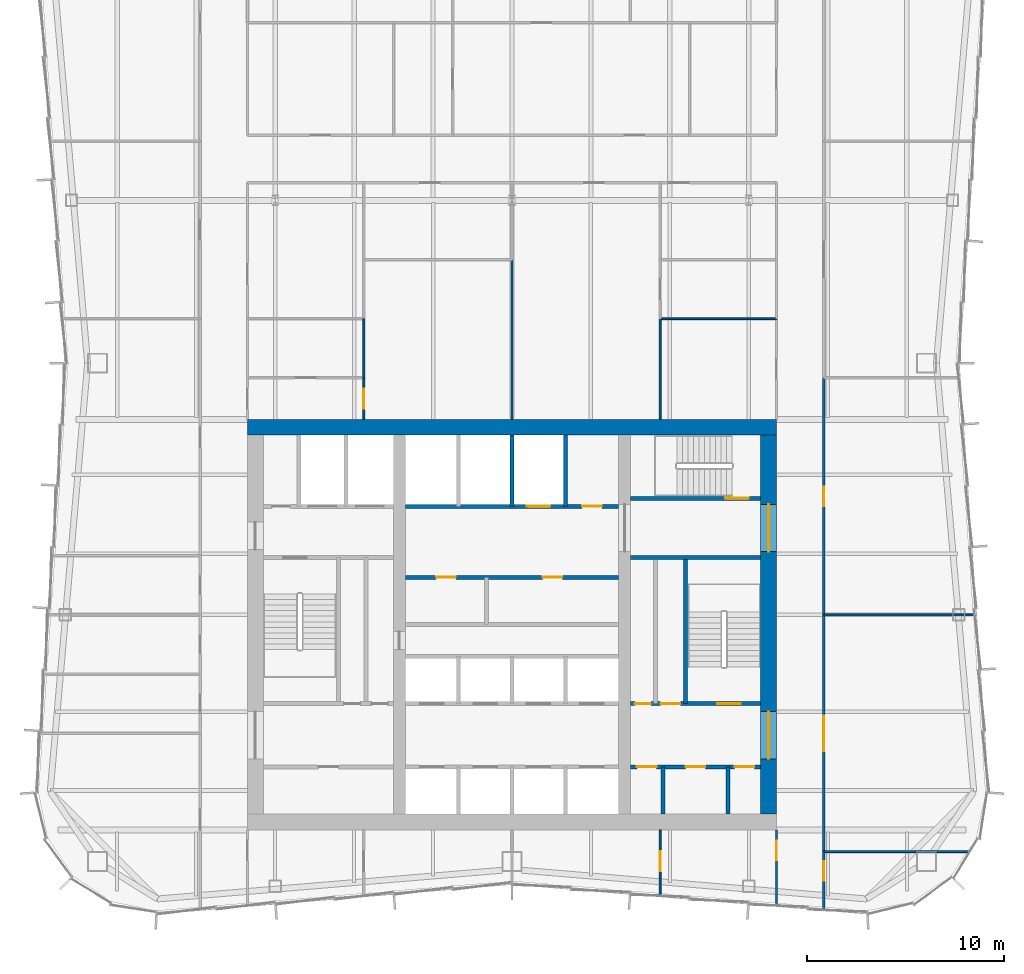
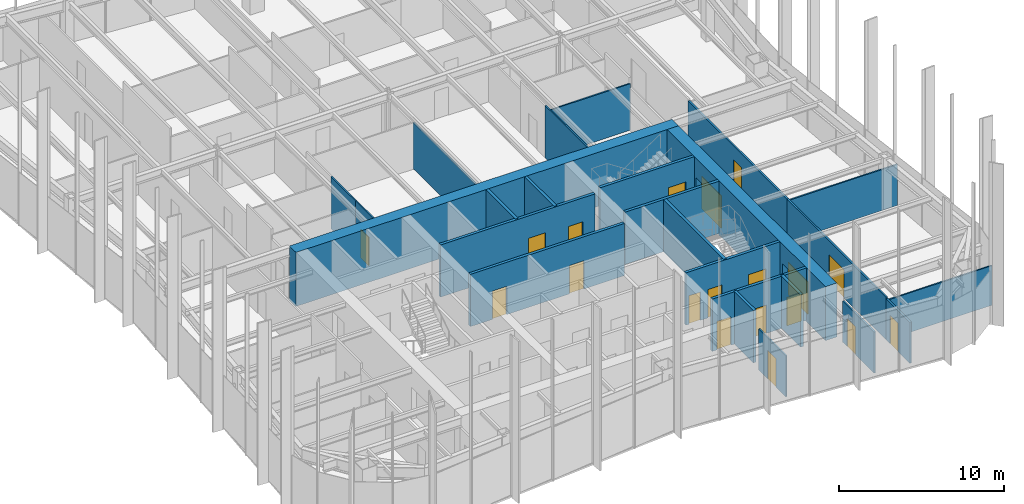
# One storey, part 12 of 15: 25 walls, 19 doors, 19 openings.
"""IFC4 building model written with IfcOpenShell, lengths in metres."""

from ifc_helpers import new_model, si_unit, direction, frame, frame_2d, origin, place, context, subcontext, project, spatial, rectangle, extrude, material, layer, layer_set, type_object, element, fill, save


model = new_model("IFC4")

# Units and contexts
model_context = context("Model", 3, precision=1e-05, world=origin(), true_north=direction((0.0, 1.0)))
body_context = subcontext(model_context, "Body", "Model", "MODEL_VIEW")
ifc_project = project(units=[si_unit("LENGTHUNIT", "METRE"), si_unit("AREAUNIT", "SQUARE_METRE"), si_unit("VOLUMEUNIT", "CUBIC_METRE"), si_unit("PLANEANGLEUNIT", "RADIAN"), si_unit("MASSUNIT", "GRAM", prefix="KILO")], contexts=[model_context])

# Site, building, storey
site_placement = place(None, origin())
site = spatial("IfcSite", under=ifc_project, at=site_placement, CompositionType="ELEMENT")
building_placement = place(site_placement, origin())
building = spatial("IfcBuilding", under=site, at=building_placement, Name="Verdant Reach Tower", CompositionType="ELEMENT")
storey_placement = place(building_placement, frame((0.0, 0.0, 250.0)))
storey = spatial("IfcBuildingStorey", under=building, at=storey_placement, Name="L57", CompositionType="ELEMENT", Elevation=250.0)

# Wall, openings, doors
ifc_material_1 = material(Name="Gypsum board on steel studs", Category="steel")
ifc_layer_1 = layer(ifc_material_1, 0.199951171875)
ifc_layer_set_1 = layer_set([ifc_layer_1], Name="CO-WALL-ROOM")
wall_type_1 = type_object("IfcWallType", Name="CO-WALL-ROOM", PredefinedType="PARTITIONING", material=ifc_layer_set_1)
wall_1_placement = place(storey_placement, frame((6.0, 20.800048828125, 0.0), z_axis=(0.0, 0.0, 1.0), x_axis=(1.0, 0.0, 0.0)))
wall_1 = element("IfcWall", 1, at=wall_1_placement, inside=storey, type_object=wall_type_1, Name="Core partition, L57", PredefinedType="PARTITIONING", context=body_context, shape_type="SweptSolid", body=[
    extrude(rectangle(XDim=6.60009765625, YDim=0.199951171875, at=frame_2d((3.300048828125, 0.0))), origin(), (0.0, 0.0, 1.0), 3.8701171875),
])
opening_1_placement = place(wall_1_placement, frame((0.324951171875, 0.0, 0.0)))
opening_1 = element("IfcOpeningElement", 2, at=opening_1_placement, cuts=wall_1, Name="Opening CD", PredefinedType="OPENING", context=body_context, shape_type="SweptSolid", body=[
    extrude(rectangle(XDim=1.0, YDim=2.10009765625, at=frame_2d((0.5, 1.050048828125))), frame((0.0, 0.10986328125, 0.0), z_axis=(0.0, -1.0, 0.0), x_axis=(1.0, 0.0, 0.0)), (0.0, 0.0, 1.0), 0.219970703125),
])
opening_2_placement = place(wall_1_placement, frame((2.800048828125, 0.0, 0.0)))
opening_2 = element("IfcOpeningElement", 3, at=opening_2_placement, cuts=wall_1, Name="Opening CD", PredefinedType="OPENING", context=body_context, shape_type="SweptSolid", body=[
    extrude(rectangle(XDim=1.0, YDim=2.10009765625, at=frame_2d((0.5, 1.050048828125))), frame((0.0, 0.10986328125, 0.0), z_axis=(0.0, -1.0, 0.0), x_axis=(1.0, 0.0, 0.0)), (0.0, 0.0, 1.0), 0.219970703125),
])
opening_3_placement = place(wall_1_placement, frame((5.27490234375, 0.0, 0.0)))
opening_3 = element("IfcOpeningElement", 4, at=opening_3_placement, cuts=wall_1, Name="Opening CD", PredefinedType="OPENING", context=body_context, shape_type="SweptSolid", body=[
    extrude(rectangle(XDim=1.0, YDim=2.10009765625, at=frame_2d((0.5, 1.050048828125))), frame((0.0, 0.10986328125, 0.0), z_axis=(0.0, -1.0, 0.0), x_axis=(1.0, 0.0, 0.0)), (0.0, 0.0, 1.0), 0.219970703125),
])
ifc_material_2 = material(Name="Timber", Category="wood")
door_type_1 = type_object("IfcDoorType", Name="CO-DOOR-ROOM", OperationType="NOTDEFINED", PredefinedType="DOOR", material=ifc_material_2)
door_1_placement = place(opening_1_placement, origin())
door_1 = element("IfcDoor", 5, at=door_1_placement, inside=storey, type_object=door_type_1, Name="Core room door, L57", OperationType="SINGLE_SWING_LEFT", OverallHeight=2.10009765625, OverallWidth=1.0, PredefinedType="DOOR", context=body_context, shape_type="SweptSolid", body=[
    extrude(rectangle(XDim=1.0, YDim=2.10009765625, at=frame_2d((0.5, 1.050048828125))), frame((0.0, 0.02490234375, 0.0), z_axis=(0.0, -1.0, 0.0), x_axis=(1.0, 0.0, 0.0)), (0.0, 0.0, 1.0), 0.050048828125),
])
fill(opening_1, door_1)
door_2_placement = place(opening_2_placement, origin())
door_2 = element("IfcDoor", 6, at=door_2_placement, inside=storey, type_object=door_type_1, Name="Core room door, L57", OperationType="SINGLE_SWING_LEFT", OverallHeight=2.10009765625, OverallWidth=1.0, PredefinedType="DOOR", context=body_context, shape_type="SweptSolid", body=[
    extrude(rectangle(XDim=1.0, YDim=2.10009765625, at=frame_2d((0.5, 1.050048828125))), frame((0.0, 0.02490234375, 0.0), z_axis=(0.0, -1.0, 0.0), x_axis=(1.0, 0.0, 0.0)), (0.0, 0.0, 1.0), 0.050048828125),
])
fill(opening_2, door_2)
door_3_placement = place(opening_3_placement, origin())
door_3 = element("IfcDoor", 7, at=door_3_placement, inside=storey, type_object=door_type_1, Name="Core room door, L57", OperationType="SINGLE_SWING_LEFT", OverallHeight=2.10009765625, OverallWidth=1.0, PredefinedType="DOOR", context=body_context, shape_type="SweptSolid", body=[
    extrude(rectangle(XDim=1.0, YDim=2.10009765625, at=frame_2d((0.5, 1.050048828125))), frame((0.0, 0.02490234375, 0.0), z_axis=(0.0, -1.0, 0.0), x_axis=(1.0, 0.0, 0.0)), (0.0, 0.0, 1.0), 0.050048828125),
])
fill(opening_3, door_3)

wall_2_placement = place(storey_placement, frame((-5.39990234375, 30.39990234375, 0.0), z_axis=(0.0, 0.0, 1.0), x_axis=(1.0, 0.0, 0.0)))
wall_2 = element("IfcWall", 8, at=wall_2_placement, inside=storey, type_object=wall_type_1, Name="Core partition, L57", PredefinedType="PARTITIONING", context=body_context, shape_type="SweptSolid", body=[
    extrude(rectangle(XDim=10.7998046875, YDim=0.199951171875, at=frame_2d((5.39990234375, 0.0))), origin(), (0.0, 0.0, 1.0), 3.8701171875),
])
opening_4_placement = place(wall_2_placement, frame((1.552001953125, 0.0, 0.0)))
opening_4 = element("IfcOpeningElement", 9, at=opening_4_placement, cuts=wall_2, Name="Opening CD", PredefinedType="OPENING", context=body_context, shape_type="SweptSolid", body=[
    extrude(rectangle(XDim=1.0, YDim=2.10009765625, at=frame_2d((0.5, 1.050048828125))), frame((0.0, 0.10986328125, 0.0), z_axis=(0.0, -1.0, 0.0), x_axis=(1.0, 0.0, 0.0)), (0.0, 0.0, 1.0), 0.219970703125),
])
opening_5_placement = place(wall_2_placement, frame((6.951904296875, 0.0, 0.0)))
opening_5 = element("IfcOpeningElement", 10, at=opening_5_placement, cuts=wall_2, Name="Opening CD", PredefinedType="OPENING", context=body_context, shape_type="SweptSolid", body=[
    extrude(rectangle(XDim=1.0, YDim=2.10009765625, at=frame_2d((0.5, 1.050048828125))), frame((0.0, 0.10986328125, 0.0), z_axis=(0.0, -1.0, 0.0), x_axis=(1.0, 0.0, 0.0)), (0.0, 0.0, 1.0), 0.219970703125),
])
door_4_placement = place(opening_4_placement, origin())
door_4 = element("IfcDoor", 11, at=door_4_placement, inside=storey, type_object=door_type_1, Name="Core room door, L57", OperationType="SINGLE_SWING_LEFT", OverallHeight=2.10009765625, OverallWidth=1.0, PredefinedType="DOOR", context=body_context, shape_type="SweptSolid", body=[
    extrude(rectangle(XDim=1.0, YDim=2.10009765625, at=frame_2d((0.5, 1.050048828125))), frame((0.0, 0.02490234375, 0.0), z_axis=(0.0, -1.0, 0.0), x_axis=(1.0, 0.0, 0.0)), (0.0, 0.0, 1.0), 0.050048828125),
])
fill(opening_4, door_4)
door_5_placement = place(opening_5_placement, origin())
door_5 = element("IfcDoor", 12, at=door_5_placement, inside=storey, type_object=door_type_1, Name="Core room door, L57", OperationType="SINGLE_SWING_RIGHT", OverallHeight=2.10009765625, OverallWidth=1.0, PredefinedType="DOOR", context=body_context, shape_type="SweptSolid", body=[
    extrude(rectangle(XDim=1.0, YDim=2.10009765625, at=frame_2d((0.5, 1.050048828125))), frame((0.0, 0.02490234375, 0.0), z_axis=(0.0, -1.0, 0.0), x_axis=(1.0, 0.0, 0.0)), (0.0, 0.0, 1.0), 0.050048828125),
])
fill(opening_5, door_5)

# Walls
for number, where, z_axis, x_axis, name in (
    (13, (7.64990234375, 18.39990234375, 0.0), (0.0, 0.0, 1.0), (0.0, 1.0, 0.0), "Core partition, L57"),
    (14, (10.949951171875, 18.39990234375, 0.0), (0.0, 0.0, 1.0), (0.0, 1.0, 0.0), "Core partition, L57"),
):
    element("IfcWall", number, at=place(storey_placement, frame(where, z_axis=z_axis, x_axis=x_axis)), inside=storey, type_object=wall_type_1, Name=name, PredefinedType="PARTITIONING", context=body_context, shape_type="SweptSolid", body=[
        extrude(rectangle(XDim=2.400146484375, YDim=0.199951171875, at=frame_2d((1.2001953125, 0.0))), origin(), (0.0, 0.0, 1.0), 3.8701171875),
    ])

# Wall, openings, doors
ifc_material_3 = material(Name="Concrete C40/50", Category="concrete")
ifc_layer_2 = layer(ifc_material_3, 0.199951171875)
ifc_layer_set_2 = layer_set([ifc_layer_2], Name="CO-WALL-SHAFT")
wall_type_2 = type_object("IfcWallType", Name="CO-WALL-SHAFT", PredefinedType="PARTITIONING", material=ifc_layer_set_2)
wall_3_placement = place(storey_placement, frame((-5.39990234375, 34.0, 0.0), z_axis=(0.0, 0.0, 1.0), x_axis=(1.0, 0.0, 0.0)))
wall_3 = element("IfcWall", 15, at=wall_3_placement, inside=storey, type_object=wall_type_2, Name="Lift shaft wall, L57", PredefinedType="PARTITIONING", context=body_context, shape_type="SweptSolid", body=[
    extrude(rectangle(XDim=10.7998046875, YDim=0.199951171875, at=frame_2d((5.39990234375, 0.0))), origin(), (0.0, 0.0, 1.0), 3.8701171875),
])
opening_6_placement = place(wall_3_placement, frame((6.14990234375, 0.0, 0.0)))
opening_6 = element("IfcOpeningElement", 16, at=opening_6_placement, cuts=wall_3, Name="Opening LD-SL1", PredefinedType="OPENING", context=body_context, shape_type="SweptSolid", body=[
    extrude(rectangle(XDim=1.199951171875, YDim=2.199951171875, at=frame_2d((0.60009765625, 1.10009765625))), frame((0.0, 0.10986328125, 0.0), z_axis=(0.0, -1.0, 0.0), x_axis=(1.0, 0.0, 0.0)), (0.0, 0.0, 1.0), 0.219970703125),
])
opening_7_placement = place(wall_3_placement, frame((8.949951171875, 0.0, 0.0)))
opening_7 = element("IfcOpeningElement", 17, at=opening_7_placement, cuts=wall_3, Name="Opening CD", PredefinedType="OPENING", context=body_context, shape_type="SweptSolid", body=[
    extrude(rectangle(XDim=1.0, YDim=2.10009765625, at=frame_2d((0.5, 1.050048828125))), frame((0.0, 0.10986328125, 0.0), z_axis=(0.0, -1.0, 0.0), x_axis=(1.0, 0.0, 0.0)), (0.0, 0.0, 1.0), 0.219970703125),
])
ifc_material_4 = material(Name="Stainless steel", Category="steel")
door_type_2 = type_object("IfcDoorType", Name="CO-DOOR-LANDING", OperationType="SLIDING_TO_LEFT", PredefinedType="DOOR", material=ifc_material_4)
door_6_placement = place(opening_6_placement, origin())
door_6 = element("IfcDoor", 18, at=door_6_placement, inside=storey, type_object=door_type_2, Name="Landing door SL1, L57", OperationType="SLIDING_TO_LEFT", OverallHeight=2.199951171875, OverallWidth=1.199951171875, PredefinedType="DOOR", context=body_context, shape_type="SweptSolid", body=[
    extrude(rectangle(XDim=1.199951171875, YDim=2.199951171875, at=frame_2d((0.60009765625, 1.10009765625))), frame((0.0, 0.02490234375, 0.0), z_axis=(0.0, -1.0, 0.0), x_axis=(1.0, 0.0, 0.0)), (0.0, 0.0, 1.0), 0.050048828125),
])
fill(opening_6, door_6)
door_7_placement = place(opening_7_placement, origin())
door_7 = element("IfcDoor", 19, at=door_7_placement, inside=storey, type_object=door_type_1, Name="Core room door, L57", OperationType="SINGLE_SWING_LEFT", OverallHeight=2.10009765625, OverallWidth=1.0, PredefinedType="DOOR", context=body_context, shape_type="SweptSolid", body=[
    extrude(rectangle(XDim=1.0, YDim=2.10009765625, at=frame_2d((0.5, 1.050048828125))), frame((0.0, 0.02490234375, 0.0), z_axis=(0.0, -1.0, 0.0), x_axis=(1.0, 0.0, 0.0)), (0.0, 0.0, 1.0), 0.050048828125),
])
fill(opening_7, door_7)

# Walls
for number, where, z_axis, x_axis, name in (
    (20, (0.0, 34.0, 0.0), (0.0, 0.0, 1.0), (0.0, 1.0, 0.0), "Lift shaft wall, L57"),
    (21, (2.699951171875, 34.0, 0.0), (0.0, 0.0, 1.0), (0.0, 1.0, 0.0), "Lift shaft wall, L57"),
):
    element("IfcWall", number, at=place(storey_placement, frame(where, z_axis=z_axis, x_axis=x_axis)), inside=storey, type_object=wall_type_2, Name=name, PredefinedType="PARTITIONING", context=body_context, shape_type="SweptSolid", body=[
        extrude(rectangle(XDim=3.60009765625, YDim=0.199951171875, at=frame_2d((1.800048828125, 0.0))), origin(), (0.0, 0.0, 1.0), 3.8701171875),
    ])

# Wall, openings, doors
ifc_layer_3 = layer(ifc_material_3, 0.199951171875)
ifc_layer_set_3 = layer_set([ifc_layer_3], Name="CO-WALL-STAIR")
wall_type_3 = type_object("IfcWallType", Name="CO-WALL-STAIR", PredefinedType="PARTITIONING", material=ifc_layer_set_3)
wall_4_placement = place(storey_placement, frame((6.0, 24.0, 0.0), z_axis=(0.0, 0.0, 1.0), x_axis=(1.0, 0.0, 0.0)))
wall_4 = element("IfcWall", 22, at=wall_4_placement, inside=storey, type_object=wall_type_3, Name="Stair enclosure wall, L57", PredefinedType="PARTITIONING", context=body_context, shape_type="SweptSolid", body=[
    extrude(rectangle(XDim=6.60009765625, YDim=0.199951171875, at=frame_2d((3.300048828125, 0.0))), origin(), (0.0, 0.0, 1.0), 3.8701171875),
])
opening_8_placement = place(wall_4_placement, frame((0.22998046875, 0.0, 0.0)))
opening_8 = element("IfcOpeningElement", 23, at=opening_8_placement, cuts=wall_4, Name="Opening CDN", PredefinedType="OPENING", context=body_context, shape_type="SweptSolid", body=[
    extrude(rectangle(XDim=0.800048828125, YDim=2.10009765625, at=frame_2d((0.39990234375, 1.050048828125))), frame((0.0, 0.10986328125, 0.0), z_axis=(0.0, -1.0, 0.0), x_axis=(1.0, 0.0, 0.0)), (0.0, 0.0, 1.0), 0.219970703125),
])
opening_9_placement = place(wall_4_placement, frame((1.530029296875, 0.0, 0.0)))
opening_9 = element("IfcOpeningElement", 24, at=opening_9_placement, cuts=wall_4, Name="Opening CD", PredefinedType="OPENING", context=body_context, shape_type="SweptSolid", body=[
    extrude(rectangle(XDim=1.0, YDim=2.10009765625, at=frame_2d((0.5, 1.050048828125))), frame((0.0, 0.10986328125, 0.0), z_axis=(0.0, -1.0, 0.0), x_axis=(1.0, 0.0, 0.0)), (0.0, 0.0, 1.0), 0.219970703125),
])
opening_10_placement = place(wall_4_placement, frame((4.39990234375, 0.0, 0.0)))
opening_10 = element("IfcOpeningElement", 25, at=opening_10_placement, cuts=wall_4, Name="Opening SD", PredefinedType="OPENING", context=body_context, shape_type="SweptSolid", body=[
    extrude(rectangle(XDim=1.199951171875, YDim=2.199951171875, at=frame_2d((0.60009765625, 1.10009765625))), frame((0.0, 0.10986328125, 0.0), z_axis=(0.0, -1.0, 0.0), x_axis=(1.0, 0.0, 0.0)), (0.0, 0.0, 1.0), 0.219970703125),
])
door_8_placement = place(opening_9_placement, origin())
door_8 = element("IfcDoor", 26, at=door_8_placement, inside=storey, type_object=door_type_1, Name="Core room door, L57", OperationType="SINGLE_SWING_LEFT", OverallHeight=2.10009765625, OverallWidth=1.0, PredefinedType="DOOR", context=body_context, shape_type="SweptSolid", body=[
    extrude(rectangle(XDim=1.0, YDim=2.10009765625, at=frame_2d((0.5, 1.050048828125))), frame((0.0, 0.02490234375, 0.0), z_axis=(0.0, -1.0, 0.0), x_axis=(1.0, 0.0, 0.0)), (0.0, 0.0, 1.0), 0.050048828125),
])
fill(opening_9, door_8)
door_type_3 = type_object("IfcDoorType", Name="CO-DOOR-ROOM-NARROW", OperationType="NOTDEFINED", PredefinedType="DOOR", material=ifc_material_2)
door_9_placement = place(opening_8_placement, origin())
door_9 = element("IfcDoor", 27, at=door_9_placement, inside=storey, type_object=door_type_3, Name="Core room door, L57", OperationType="SINGLE_SWING_RIGHT", OverallHeight=2.10009765625, OverallWidth=0.800048828125, PredefinedType="DOOR", context=body_context, shape_type="SweptSolid", body=[
    extrude(rectangle(XDim=0.800048828125, YDim=2.10009765625, at=frame_2d((0.39990234375, 1.050048828125))), frame((0.0, 0.02490234375, 0.0), z_axis=(0.0, -1.0, 0.0), x_axis=(1.0, 0.0, 0.0)), (0.0, 0.0, 1.0), 0.050048828125),
])
fill(opening_8, door_9)
ifc_material_5 = material(Name="Steel", Category="steel")
door_type_4 = type_object("IfcDoorType", Name="CO-DOOR-STAIR", OperationType="NOTDEFINED", PredefinedType="DOOR", material=ifc_material_5)
door_10_placement = place(opening_10_placement, origin())
door_10 = element("IfcDoor", 28, at=door_10_placement, inside=storey, type_object=door_type_4, Name="Stair door, L57", OperationType="SINGLE_SWING_LEFT", OverallHeight=2.199951171875, OverallWidth=1.199951171875, PredefinedType="DOOR", context=body_context, shape_type="SweptSolid", body=[
    extrude(rectangle(XDim=1.199951171875, YDim=2.199951171875, at=frame_2d((0.60009765625, 1.10009765625))), frame((0.0, 0.02490234375, 0.0), z_axis=(0.0, -1.0, 0.0), x_axis=(1.0, 0.0, 0.0)), (0.0, 0.0, 1.0), 0.050048828125),
])
fill(opening_10, door_10)

# Wall
wall_5_placement = place(storey_placement, frame((6.0, 31.39990234375, 0.0), z_axis=(0.0, 0.0, 1.0), x_axis=(1.0, 0.0, 0.0)))
element("IfcWall", 29, at=wall_5_placement, inside=storey, type_object=wall_type_3, Name="Stair enclosure wall, L57", PredefinedType="PARTITIONING", context=body_context, shape_type="SweptSolid", body=[
    extrude(rectangle(XDim=6.60009765625, YDim=0.199951171875, at=frame_2d((3.300048828125, 0.0))), origin(), (0.0, 0.0, 1.0), 3.8701171875),
])

# Wall, opening, door
wall_6_placement = place(storey_placement, frame((6.0, 34.39990234375, 0.0), z_axis=(0.0, 0.0, 1.0), x_axis=(1.0, 0.0, 0.0)))
wall_6 = element("IfcWall", 30, at=wall_6_placement, inside=storey, type_object=wall_type_3, Name="Stair enclosure wall, L57", PredefinedType="PARTITIONING", context=body_context, shape_type="SweptSolid", body=[
    extrude(rectangle(XDim=6.60009765625, YDim=0.199951171875, at=frame_2d((3.300048828125, 0.0))), origin(), (0.0, 0.0, 1.0), 3.8701171875),
])
opening_11_placement = place(wall_6_placement, frame((4.800048828125, 0.0, 0.0)))
opening_11 = element("IfcOpeningElement", 31, at=opening_11_placement, cuts=wall_6, Name="Opening SD", PredefinedType="OPENING", context=body_context, shape_type="SweptSolid", body=[
    extrude(rectangle(XDim=1.199951171875, YDim=2.199951171875, at=frame_2d((0.60009765625, 1.10009765625))), frame((0.0, 0.10986328125, 0.0), z_axis=(0.0, -1.0, 0.0), x_axis=(1.0, 0.0, 0.0)), (0.0, 0.0, 1.0), 0.219970703125),
])
door_11_placement = place(opening_11_placement, origin())
door_11 = element("IfcDoor", 32, at=door_11_placement, inside=storey, type_object=door_type_4, Name="Stair door, L57", OperationType="SINGLE_SWING_RIGHT", OverallHeight=2.199951171875, OverallWidth=1.199951171875, PredefinedType="DOOR", context=body_context, shape_type="SweptSolid", body=[
    extrude(rectangle(XDim=1.199951171875, YDim=2.199951171875, at=frame_2d((0.60009765625, 1.10009765625))), frame((0.0, 0.02490234375, 0.0), z_axis=(0.0, -1.0, 0.0), x_axis=(1.0, 0.0, 0.0)), (0.0, 0.0, 1.0), 0.050048828125),
])
fill(opening_11, door_11)

# Walls
wall_7_placement = place(storey_placement, frame((8.800048828125, 24.0, 0.0), z_axis=(0.0, 0.0, 1.0), x_axis=(0.0, 1.0, 0.0)))
element("IfcWall", 33, at=wall_7_placement, inside=storey, type_object=wall_type_3, Name="Stair enclosure wall, L57", PredefinedType="PARTITIONING", context=body_context, shape_type="SweptSolid", body=[
    extrude(rectangle(XDim=7.39990234375, YDim=0.199951171875, at=frame_2d((3.699951171875, 0.0))), origin(), (0.0, 0.0, 1.0), 3.8701171875),
])
ifc_layer_4 = layer(ifc_material_1, 0.10009765625)
ifc_layer_set_4 = layer_set([ifc_layer_4], Name="FL-W1 Partition 100")
wall_type_4 = type_object("IfcWallType", Name="FL-W1 Partition 100", PredefinedType="PARTITIONING", material=ifc_layer_set_4)
wall_8_placement = place(storey_placement, frame((23.15283203125, 16.5, 0.0), z_axis=(0.0, 0.0, 1.0), x_axis=(-1.0, 0.0, 0.0)))
element("IfcWall", 34, at=wall_8_placement, inside=storey, type_object=wall_type_4, Name="Partition 57.41", PredefinedType="PARTITIONING", context=body_context, shape_type="SweptSolid", body=[
    extrude(rectangle(XDim=7.352783203125, YDim=0.10009765625, at=frame_2d((3.67626953125, 0.0))), origin(), (0.0, 0.0, 1.0), 2.929931640625),
])
wall_9_placement = place(storey_placement, frame((23.459228515625, 28.5, 0.0), z_axis=(0.0, 0.0, 1.0), x_axis=(-1.0, 0.0, 0.0)))
element("IfcWall", 35, at=wall_9_placement, inside=storey, type_object=wall_type_4, Name="Partition 57.42", PredefinedType="PARTITIONING", context=body_context, shape_type="SweptSolid", body=[
    extrude(rectangle(XDim=7.6591796875, YDim=0.10009765625, at=frame_2d((3.82958984375, 0.0))), origin(), (0.0, 0.0, 1.0), 3.0400390625),
])

# Wall, opening, door
wall_10_placement = place(storey_placement, frame((7.5, 14.294921875, 0.0), z_axis=(0.0, 0.0, 1.0), x_axis=(0.0, 1.0, 0.0)))
wall_10 = element("IfcWall", 36, at=wall_10_placement, inside=storey, type_object=wall_type_4, Name="Partition 57.47", PredefinedType="PARTITIONING", context=body_context, shape_type="SweptSolid", body=[
    extrude(rectangle(XDim=3.30517578125, YDim=0.10009765625, at=frame_2d((1.652587890625, 0.0))), origin(), (0.0, 0.0, 1.0), 3.0400390625),
])
opening_12_placement = place(wall_10_placement, frame((1.217529296875, 0.0, 0.0)))
opening_12 = element("IfcOpeningElement", 37, at=opening_12_placement, cuts=wall_10, Name="Opening D3", PredefinedType="OPENING", context=body_context, shape_type="SweptSolid", body=[
    extrude(rectangle(XDim=1.0, YDim=2.10009765625, at=frame_2d((0.5, 1.050048828125))), frame((0.0, 0.06005859375, 0.0), z_axis=(0.0, -1.0, 0.0), x_axis=(1.0, 0.0, 0.0)), (0.0, 0.0, 1.0), 0.1201171875),
])
ifc_material_6 = material(Name="Painted timber door leaf", Category="wood")
door_type_5 = type_object("IfcDoorType", Name="FL-D3 Door 1000x2100", OperationType="NOTDEFINED", PredefinedType="DOOR", material=ifc_material_6)
door_12_placement = place(opening_12_placement, origin())
door_12 = element("IfcDoor", 38, at=door_12_placement, inside=storey, type_object=door_type_5, Name="Door 57-028", OperationType="SINGLE_SWING_RIGHT", OverallHeight=2.10009765625, OverallWidth=1.0, PredefinedType="DOOR", context=body_context, shape_type="SweptSolid", body=[
    extrude(rectangle(XDim=1.0, YDim=2.10009765625, at=frame_2d((0.5, 1.050048828125))), frame((0.0, 0.02490234375, 0.0), z_axis=(0.0, -1.0, 0.0), x_axis=(1.0, 0.0, 0.0)), (0.0, 0.0, 1.0), 0.050048828125),
])
fill(opening_12, door_12)

wall_11_placement = place(storey_placement, frame((-7.5, 40.50390625, 0.0), z_axis=(0.0, 0.0, 1.0), x_axis=(0.0, -1.0, 0.0)))
wall_11 = element("IfcWall", 39, at=wall_11_placement, inside=storey, type_object=wall_type_4, Name="Partition 57.49", PredefinedType="PARTITIONING", context=body_context, shape_type="SweptSolid", body=[
    extrude(rectangle(XDim=2.10400390625, YDim=0.10009765625, at=frame_2d((1.052001953125, 0.0))), origin(), (0.0, 0.0, 1.0), 3.8701171875),
])
opening_13_placement = place(wall_11_placement, frame((0.552001953125, 0.0, 0.0)))
opening_13 = element("IfcOpeningElement", 40, at=opening_13_placement, cuts=wall_11, Name="Opening D3", PredefinedType="OPENING", context=body_context, shape_type="SweptSolid", body=[
    extrude(rectangle(XDim=1.0, YDim=2.10009765625, at=frame_2d((0.5, 1.050048828125))), frame((0.0, 0.06005859375, 0.0), z_axis=(0.0, -1.0, 0.0), x_axis=(1.0, 0.0, 0.0)), (0.0, 0.0, 1.0), 0.1201171875),
])
door_13_placement = place(opening_13_placement, origin())
door_13 = element("IfcDoor", 41, at=door_13_placement, inside=storey, type_object=door_type_5, Name="Door 57-030", OperationType="SINGLE_SWING_RIGHT", OverallHeight=2.10009765625, OverallWidth=1.0, PredefinedType="DOOR", context=body_context, shape_type="SweptSolid", body=[
    extrude(rectangle(XDim=1.0, YDim=2.10009765625, at=frame_2d((0.5, 1.050048828125))), frame((0.0, 0.02490234375, 0.0), z_axis=(0.0, -1.0, 0.0), x_axis=(1.0, 0.0, 0.0)), (0.0, 0.0, 1.0), 0.050048828125),
])
fill(opening_13, door_13)

# Walls
wall_12_placement = place(storey_placement, frame((-7.5, 40.49609375, 0.0), z_axis=(0.0, 0.0, 1.0), x_axis=(0.0, 1.0, 0.0)))
element("IfcWall", 42, at=wall_12_placement, inside=storey, type_object=wall_type_4, Name="Partition 57.51", PredefinedType="PARTITIONING", context=body_context, shape_type="SweptSolid", body=[
    extrude(rectangle(XDim=3.0078125, YDim=0.10009765625, at=frame_2d((1.50390625, 0.0))), origin(), (0.0, 0.0, 1.0), 3.8701171875),
])
wall_13_placement = place(storey_placement, frame((0.0, 38.39990234375, 0.0), z_axis=(0.0, 0.0, 1.0), x_axis=(0.0, 1.0, 0.0)))
element("IfcWall", 43, at=wall_13_placement, inside=storey, type_object=wall_type_4, Name="Partition 57.55", PredefinedType="PARTITIONING", context=body_context, shape_type="SweptSolid", body=[
    extrude(rectangle(XDim=8.10400390625, YDim=0.10009765625, at=frame_2d((4.052001953125, 0.0))), origin(), (0.0, 0.0, 1.0), 3.43994140625),
])
wall_14_placement = place(storey_placement, frame((13.39990234375, 43.5, 0.0), z_axis=(0.0, 0.0, 1.0), x_axis=(-1.0, 0.0, 0.0)))
element("IfcWall", 44, at=wall_14_placement, inside=storey, type_object=wall_type_4, Name="Partition 57.57", PredefinedType="PARTITIONING", context=body_context, shape_type="SweptSolid", body=[
    extrude(rectangle(XDim=5.89990234375, YDim=0.10009765625, at=frame_2d((2.949951171875, 0.0))), origin(), (0.0, 0.0, 1.0), 3.43994140625),
])
wall_15_placement = place(storey_placement, frame((7.5, 43.50390625, 0.0), z_axis=(0.0, 0.0, 1.0), x_axis=(0.0, -1.0, 0.0)))
element("IfcWall", 45, at=wall_15_placement, inside=storey, type_object=wall_type_4, Name="Partition 57.58", PredefinedType="PARTITIONING", context=body_context, shape_type="SweptSolid", body=[
    extrude(rectangle(XDim=5.10400390625, YDim=0.10009765625, at=frame_2d((2.552001953125, 0.0))), origin(), (0.0, 0.0, 1.0), 3.8701171875),
])

# Wall, opening, door
ifc_material_7 = material(Name="Gypsum board on steel studs, fire rated", Category="steel")
ifc_layer_5 = layer(ifc_material_7, 0.125)
ifc_layer_set_5 = layer_set([ifc_layer_5], Name="FL-W2 Corridor wall 125")
wall_type_5 = type_object("IfcWallType", Name="FL-W2 Corridor wall 125", PredefinedType="PARTITIONING", material=ifc_layer_set_5)
wall_16_placement = place(storey_placement, frame((15.800048828125, 16.5, 0.0), z_axis=(0.0, 0.0, 1.0), x_axis=(0.0, -1.0, 0.0)))
wall_16 = element("IfcWall", 46, at=wall_16_placement, inside=storey, type_object=wall_type_5, Name="Partition 57.09", PredefinedType="PARTITIONING", context=body_context, shape_type="SweptSolid", body=[
    extrude(rectangle(XDim=2.896728515625, YDim=0.125, at=frame_2d((1.4482421875, 0.0))), origin(), (0.0, 0.0, 1.0), 3.0400390625),
])
opening_14_placement = place(wall_16_placement, frame((0.483154296875, 0.0, 0.0)))
opening_14 = element("IfcOpeningElement", 47, at=opening_14_placement, cuts=wall_16, Name="Opening D2", PredefinedType="OPENING", context=body_context, shape_type="SweptSolid", body=[
    extrude(rectangle(XDim=1.0, YDim=2.10009765625, at=frame_2d((0.5, 1.050048828125))), frame((0.0, 0.072509765625, 0.0), z_axis=(0.0, -1.0, 0.0), x_axis=(1.0, 0.0, 0.0)), (0.0, 0.0, 1.0), 0.14501953125),
])
ifc_material_8 = material(Name="Timber door leaf, fire rated", Category="wood")
door_type_6 = type_object("IfcDoorType", Name="FL-D2 Entrance door 1000x2100 FD30", OperationType="NOTDEFINED", PredefinedType="DOOR", material=ifc_material_8)
door_14_placement = place(opening_14_placement, origin())
door_14 = element("IfcDoor", 48, at=door_14_placement, inside=storey, type_object=door_type_6, Name="Door 57-009", OperationType="SINGLE_SWING_LEFT", OverallHeight=2.10009765625, OverallWidth=1.0, PredefinedType="DOOR", context=body_context, shape_type="SweptSolid", body=[
    extrude(rectangle(XDim=1.0, YDim=2.10009765625, at=frame_2d((0.5, 1.050048828125))), frame((0.0, 0.02490234375, 0.0), z_axis=(0.0, -1.0, 0.0), x_axis=(1.0, 0.0, 0.0)), (0.0, 0.0, 1.0), 0.050048828125),
])
fill(opening_14, door_14)

wall_17_placement = place(storey_placement, frame((15.800048828125, 16.5, 0.0), z_axis=(0.0, 0.0, 1.0), x_axis=(0.0, 1.0, 0.0)))
wall_17 = element("IfcWall", 49, at=wall_17_placement, inside=storey, type_object=wall_type_5, Name="Partition 57.10", PredefinedType="PARTITIONING", context=body_context, shape_type="SweptSolid", body=[
    extrude(rectangle(XDim=12.0, YDim=0.125, at=frame_2d((6.0, 0.0))), origin(), (0.0, 0.0, 1.0), 3.139892578125),
])
opening_15_placement = place(wall_17_placement, frame((5.10009765625, 0.0, 0.0)))
opening_15 = element("IfcOpeningElement", 50, at=opening_15_placement, cuts=wall_17, Name="Opening D4", PredefinedType="OPENING", context=body_context, shape_type="SweptSolid", body=[
    extrude(rectangle(XDim=1.800048828125, YDim=2.10009765625, at=frame_2d((0.89990234375, 1.050048828125))), frame((0.0, 0.072509765625, 0.0), z_axis=(0.0, -1.0, 0.0), x_axis=(1.0, 0.0, 0.0)), (0.0, 0.0, 1.0), 0.14501953125),
])
ifc_material_9 = material(Name="Timber door leaves, fire rated", Category="wood")
door_type_7 = type_object("IfcDoorType", Name="FL-D4 Double door 1800x2100 FD30", OperationType="DOUBLE_DOOR_SINGLE_SWING", PredefinedType="DOOR", material=ifc_material_9)
door_15_placement = place(opening_15_placement, origin())
door_15 = element("IfcDoor", 51, at=door_15_placement, inside=storey, type_object=door_type_7, Name="Door 57-010", OperationType="DOUBLE_DOOR_SINGLE_SWING", OverallHeight=2.10009765625, OverallWidth=1.800048828125, PredefinedType="DOOR", context=body_context, shape_type="SweptSolid", body=[
    extrude(rectangle(XDim=1.800048828125, YDim=2.10009765625, at=frame_2d((0.89990234375, 1.050048828125))), frame((0.0, 0.02490234375, 0.0), z_axis=(0.0, -1.0, 0.0), x_axis=(1.0, 0.0, 0.0)), (0.0, 0.0, 1.0), 0.050048828125),
])
fill(opening_15, door_15)

wall_18_placement = place(storey_placement, frame((15.800048828125, 40.5, 0.0), z_axis=(0.0, 0.0, 1.0), x_axis=(0.0, -1.0, 0.0)))
wall_18 = element("IfcWall", 52, at=wall_18_placement, inside=storey, type_object=wall_type_5, Name="Partition 57.11", PredefinedType="PARTITIONING", context=body_context, shape_type="SweptSolid", body=[
    extrude(rectangle(XDim=12.0, YDim=0.125, at=frame_2d((6.0, 0.0))), origin(), (0.0, 0.0, 1.0), 3.139892578125),
])
opening_16_placement = place(wall_18_placement, frame((5.5, 0.0, 0.0)))
opening_16 = element("IfcOpeningElement", 53, at=opening_16_placement, cuts=wall_18, Name="Opening D2", PredefinedType="OPENING", context=body_context, shape_type="SweptSolid", body=[
    extrude(rectangle(XDim=1.0, YDim=2.10009765625, at=frame_2d((0.5, 1.050048828125))), frame((0.0, 0.072509765625, 0.0), z_axis=(0.0, -1.0, 0.0), x_axis=(1.0, 0.0, 0.0)), (0.0, 0.0, 1.0), 0.14501953125),
])
door_16_placement = place(opening_16_placement, origin())
door_16 = element("IfcDoor", 54, at=door_16_placement, inside=storey, type_object=door_type_6, Name="Door 57-011", OperationType="SINGLE_SWING_LEFT", OverallHeight=2.10009765625, OverallWidth=1.0, PredefinedType="DOOR", context=body_context, shape_type="SweptSolid", body=[
    extrude(rectangle(XDim=1.0, YDim=2.10009765625, at=frame_2d((0.5, 1.050048828125))), frame((0.0, 0.02490234375, 0.0), z_axis=(0.0, -1.0, 0.0), x_axis=(1.0, 0.0, 0.0)), (0.0, 0.0, 1.0), 0.050048828125),
])
fill(opening_16, door_16)

wall_19_placement = place(storey_placement, frame((13.39990234375, 13.80322265625, 0.0), z_axis=(0.0, 0.0, 1.0), x_axis=(0.0, 1.0, 0.0)))
wall_19 = element("IfcWall", 55, at=wall_19_placement, inside=storey, type_object=wall_type_5, Name="Partition 57.15", PredefinedType="PARTITIONING", context=body_context, shape_type="SweptSolid", body=[
    extrude(rectangle(XDim=3.796875, YDim=0.125, at=frame_2d((1.8984375, 0.0))), origin(), (0.0, 0.0, 1.0), 3.0400390625),
])
opening_17_placement = place(wall_19_placement, frame((2.263427734375, 0.0, 0.0)))
opening_17 = element("IfcOpeningElement", 56, at=opening_17_placement, cuts=wall_19, Name="Opening D2", PredefinedType="OPENING", context=body_context, shape_type="SweptSolid", body=[
    extrude(rectangle(XDim=1.0, YDim=2.10009765625, at=frame_2d((0.5, 1.050048828125))), frame((0.0, 0.072509765625, 0.0), z_axis=(0.0, -1.0, 0.0), x_axis=(1.0, 0.0, 0.0)), (0.0, 0.0, 1.0), 0.14501953125),
])
door_17_placement = place(opening_17_placement, origin())
door_17 = element("IfcDoor", 57, at=door_17_placement, inside=storey, type_object=door_type_6, Name="Door 57-015", OperationType="SINGLE_SWING_RIGHT", OverallHeight=2.10009765625, OverallWidth=1.0, PredefinedType="DOOR", context=body_context, shape_type="SweptSolid", body=[
    extrude(rectangle(XDim=1.0, YDim=2.10009765625, at=frame_2d((0.5, 1.050048828125))), frame((0.0, 0.02490234375, 0.0), z_axis=(0.0, -1.0, 0.0), x_axis=(1.0, 0.0, 0.0)), (0.0, 0.0, 1.0), 0.050048828125),
])
fill(opening_17, door_17)

# Wall
ifc_material_10 = material(Name="Concrete C70/85", Category="concrete")
ifc_layer_6 = layer(ifc_material_10, 0.800048828125)
ifc_layer_set_6 = layer_set([ifc_layer_6], Name="ST-CORE-WALL-800")
wall_type_6 = type_object("IfcWallType", Name="ST-CORE-WALL-800", PredefinedType="SHEAR", material=ifc_layer_set_6)
wall_20_placement = place(storey_placement, frame((-13.39990234375, 38.0, -0.1298828125), z_axis=(0.0, 0.0, 1.0), x_axis=(1.0, 0.0, 0.0)))
element("IfcWall", 58, at=wall_20_placement, inside=storey, type_object=wall_type_6, Name="Core wall N, L57", PredefinedType="SHEAR", context=body_context, shape_type="SweptSolid", body=[
    extrude(rectangle(XDim=26.7998046875, YDim=0.800048828125, at=frame_2d((13.39990234375, 0.0))), origin(), (0.0, 0.0, 1.0), 4.0),
])

# Wall, openings, doors
wall_21_placement = place(storey_placement, frame((13.0, 18.39990234375, -0.1298828125), z_axis=(0.0, 0.0, 1.0), x_axis=(0.0, 1.0, 0.0)))
wall_21 = element("IfcWall", 59, at=wall_21_placement, inside=storey, type_object=wall_type_6, Name="Core wall E, L57", PredefinedType="SHEAR", context=body_context, shape_type="SweptSolid", body=[
    extrude(rectangle(XDim=19.2001953125, YDim=0.800048828125, at=frame_2d((9.60009765625, 0.0))), origin(), (0.0, 0.0, 1.0), 4.0),
])
opening_18_placement = place(wall_21_placement, frame((2.800048828125, 0.0, 0.1298828125)))
opening_18 = element("IfcOpeningElement", 60, at=opening_18_placement, cuts=wall_21, Name="Opening LB", PredefinedType="OPENING", context=body_context, shape_type="SweptSolid", body=[
    extrude(rectangle(XDim=2.39990234375, YDim=2.39990234375, at=frame_2d((1.199951171875, 1.199951171875))), frame((0.0, 0.409912109375, 0.0), z_axis=(0.0, -1.0, 0.0), x_axis=(1.0, 0.0, 0.0)), (0.0, 0.0, 1.0), 0.820068359375),
])
opening_19_placement = place(wall_21_placement, frame((13.300048828125, 0.0, 0.1298828125)))
opening_19 = element("IfcOpeningElement", 61, at=opening_19_placement, cuts=wall_21, Name="Opening LB", PredefinedType="OPENING", context=body_context, shape_type="SweptSolid", body=[
    extrude(rectangle(XDim=2.39990234375, YDim=2.39990234375, at=frame_2d((1.199951171875, 1.199951171875))), frame((0.0, 0.409912109375, 0.0), z_axis=(0.0, -1.0, 0.0), x_axis=(1.0, 0.0, 0.0)), (0.0, 0.0, 1.0), 0.820068359375),
])
ifc_material_11 = material(Name="Glass and steel", Category="steel")
door_type_8 = type_object("IfcDoorType", Name="CO-DOOR-LOBBY", OperationType="DOUBLE_DOOR_SINGLE_SWING", PredefinedType="DOOR", material=ifc_material_11)
door_18_placement = place(opening_18_placement, origin())
door_18 = element("IfcDoor", 62, at=door_18_placement, inside=storey, type_object=door_type_8, Name="Core entrance door, L57", OperationType="DOUBLE_DOOR_SINGLE_SWING", OverallHeight=2.39990234375, OverallWidth=2.39990234375, PredefinedType="DOOR", context=body_context, shape_type="SweptSolid", body=[
    extrude(rectangle(XDim=2.39990234375, YDim=2.39990234375, at=frame_2d((1.199951171875, 1.199951171875))), frame((0.0, 0.02490234375, 0.0), z_axis=(0.0, -1.0, 0.0), x_axis=(1.0, 0.0, 0.0)), (0.0, 0.0, 1.0), 0.050048828125),
])
fill(opening_18, door_18)
door_19_placement = place(opening_19_placement, origin())
door_19 = element("IfcDoor", 63, at=door_19_placement, inside=storey, type_object=door_type_8, Name="Core entrance door, L57", OperationType="DOUBLE_DOOR_SINGLE_SWING", OverallHeight=2.39990234375, OverallWidth=2.39990234375, PredefinedType="DOOR", context=body_context, shape_type="SweptSolid", body=[
    extrude(rectangle(XDim=2.39990234375, YDim=2.39990234375, at=frame_2d((1.199951171875, 1.199951171875))), frame((0.0, 0.02490234375, 0.0), z_axis=(0.0, -1.0, 0.0), x_axis=(1.0, 0.0, 0.0)), (0.0, 0.0, 1.0), 0.050048828125),
])
fill(opening_19, door_19)

save(model, "model.ifc")
